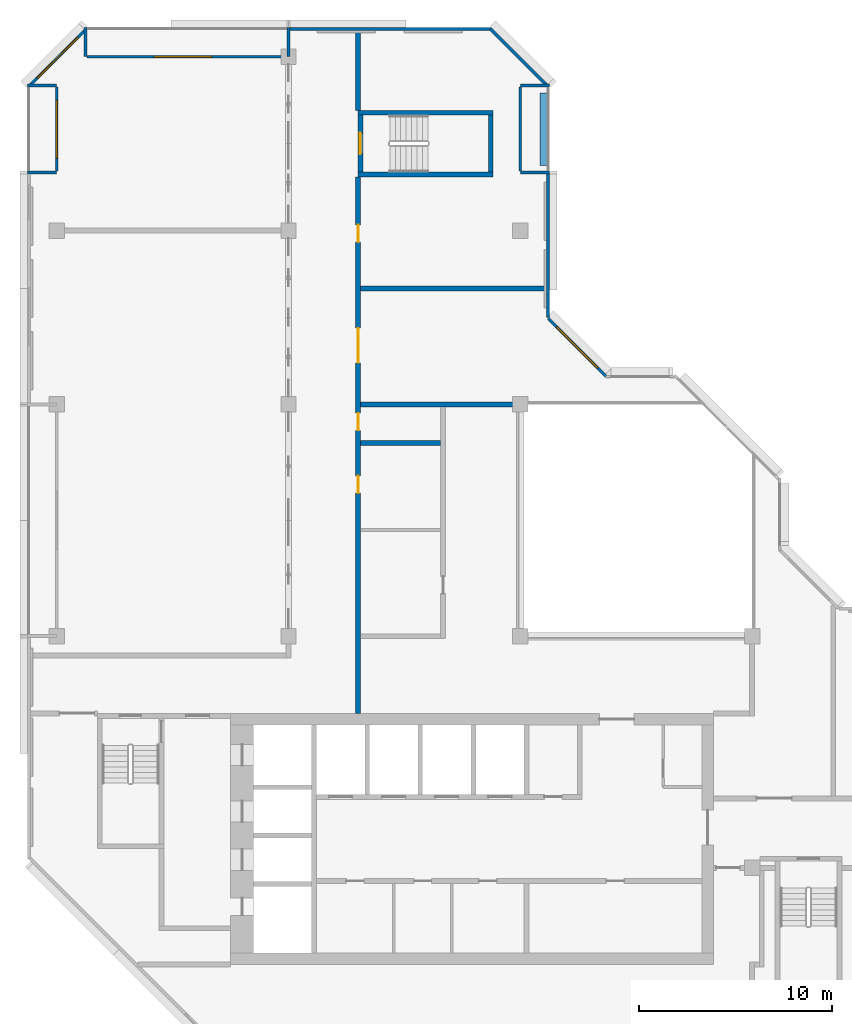
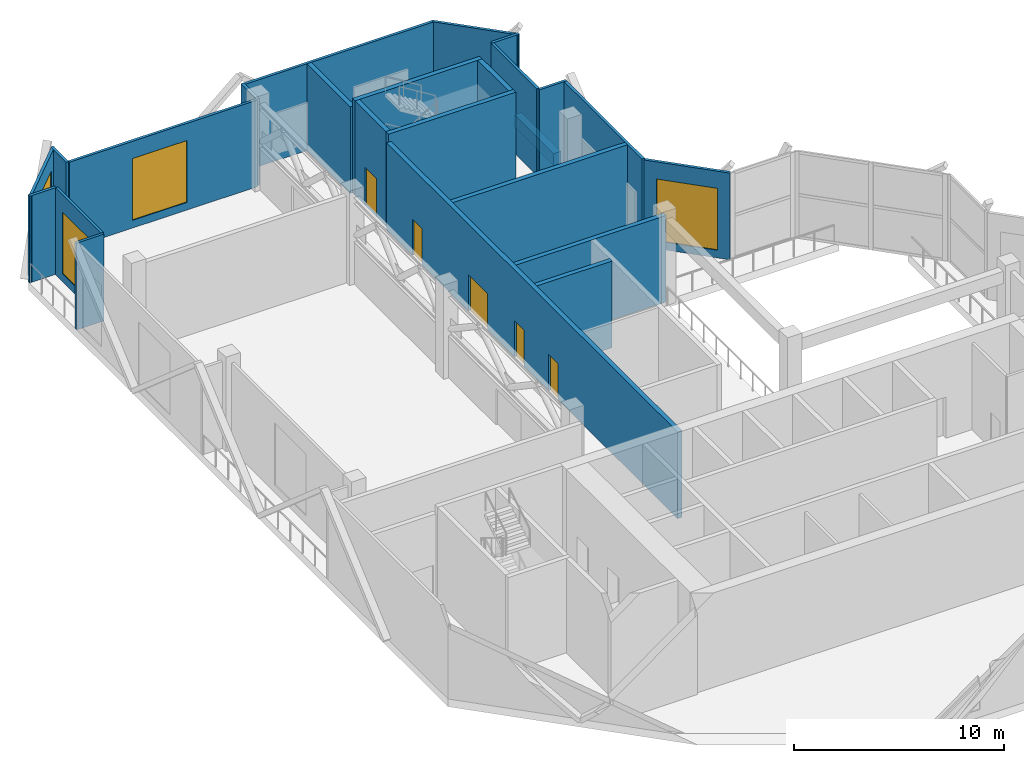
# One storey, part 8 of 13: 24 walls, 5 doors, 4 windows, 9 openings.
"""IFC4 building model written with IfcOpenShell, lengths in metres."""

from ifc_helpers import new_model, si_unit, direction, frame, frame_2d, origin, place, context, subcontext, project, spatial, rectangle, extrude, material, layer, layer_set, type_object, element, fill, save


model = new_model("IFC4")

# Units and contexts
model_context = context("Model", 3, precision=1e-05, world=origin(), true_north=direction((0.0, 1.0)))
body_context = subcontext(model_context, "Body", "Model", "MODEL_VIEW")
ifc_project = project(units=[si_unit("LENGTHUNIT", "METRE"), si_unit("AREAUNIT", "SQUARE_METRE"), si_unit("VOLUMEUNIT", "CUBIC_METRE"), si_unit("PLANEANGLEUNIT", "RADIAN"), si_unit("MASSUNIT", "GRAM", prefix="KILO")], contexts=[model_context])

# Site, building, storey
site_placement = place(None, origin())
site = spatial("IfcSite", under=ifc_project, at=site_placement, CompositionType="ELEMENT")
building_placement = place(site_placement, origin())
building = spatial("IfcBuilding", under=site, at=building_placement, Name="Chenar Terraces", CompositionType="ELEMENT")
storey_placement = place(building_placement, frame((0.0, 0.0, 322.14990234375)))
storey = spatial("IfcBuildingStorey", under=building, at=storey_placement, Name="L76", CompositionType="ELEMENT", Elevation=322.14990234375)

# Walls
ifc_material_1 = material(Name="Concrete C50/60", Category="concrete")
ifc_layer_1 = layer(ifc_material_1, 0.25)
ifc_layer_set_1 = layer_set([ifc_layer_1], Name="Concrete C50/60")
wall_type_1 = type_object("IfcWallType", Name="Core wall 250 Concrete C50/60", PredefinedType="SHEAR", material=ifc_layer_set_1)
for number, where, z_axis, x_axis, name in (
    (1, (15.60009765625, 47.89990234375, 0.0), (0.0, 0.0, 1.0), (1.0, 0.0, 0.0), "Core wall ST4_S L76"),
    (2, (15.60009765625, 51.10009765625, 0.0), (0.0, 0.0, 1.0), (1.0, 0.0, 0.0), "Core wall ST4_N L76"),
):
    element("IfcWall", number, at=place(storey_placement, frame(where, z_axis=z_axis, x_axis=x_axis)), inside=storey, type_object=wall_type_1, Name=name, PredefinedType="SHEAR", context=body_context, shape_type="SweptSolid", body=[
        extrude(rectangle(XDim=7.0, YDim=0.25, at=frame_2d((3.5, 0.0))), origin(), (0.0, 0.0, 1.0), 5.5),
    ])

# Wall, opening, door
wall_1_placement = place(storey_placement, frame((15.72509765625, 48.02490234375, 0.0), z_axis=(0.0, 0.0, 1.0), x_axis=(0.0, 1.0, 0.0)))
wall_1 = element("IfcWall", 3, at=wall_1_placement, inside=storey, type_object=wall_type_1, Name="Core wall ST4_W L76", PredefinedType="SHEAR", context=body_context, shape_type="SweptSolid", body=[
    extrude(rectangle(XDim=2.9501953125, YDim=0.25, at=frame_2d((1.47509765625, 0.0))), origin(), (0.0, 0.0, 1.0), 5.5),
])
opening_1_placement = place(wall_1_placement, frame((0.925048828125, 0.0, 0.0)))
opening_1 = element("IfcOpeningElement", 4, at=opening_1_placement, cuts=wall_1, Name="Opening DL76-C9", PredefinedType="OPENING", context=body_context, shape_type="SweptSolid", body=[
    extrude(rectangle(XDim=1.10009765625, YDim=2.199951171875, at=frame_2d((0.550048828125, 1.10009765625))), frame((0.0, 0.135009765625, 0.0), z_axis=(0.0, -1.0, 0.0), x_axis=(1.0, 0.0, 0.0)), (0.0, 0.0, 1.0), 0.27001953125),
])
ifc_material_2 = material(Name="Steel-framed fire-resisting door leaf", Category="steel")
door_type_1 = type_object("IfcDoorType", Name="Stair fire door FD60 1100 x 2200", OperationType="SINGLE_SWING_LEFT", PredefinedType="DOOR", material=ifc_material_2)
door_1_placement = place(opening_1_placement, frame((1.10009765625, 0.0, 0.0), z_axis=(0.0, 0.0, 1.0), x_axis=(-1.0, 0.0, 0.0)))
door_1 = element("IfcDoor", 5, at=door_1_placement, inside=storey, type_object=door_type_1, Name="Stair door DL76-C9", OperationType="SINGLE_SWING_RIGHT", OverallHeight=2.199951171875, OverallWidth=1.10009765625, PredefinedType="DOOR", context=body_context, shape_type="SweptSolid", body=[
    extrude(rectangle(XDim=1.10009765625, YDim=2.199951171875, at=frame_2d((0.550048828125, 1.10009765625))), frame((0.0, 0.02490234375, 0.0), z_axis=(0.0, -1.0, 0.0), x_axis=(1.0, 0.0, 0.0)), (0.0, 0.0, 1.0), 0.050048828125),
])
fill(opening_1, door_1)

# Walls
wall_2_placement = place(storey_placement, frame((22.47509765625, 48.02490234375, 0.0), z_axis=(0.0, 0.0, 1.0), x_axis=(0.0, 1.0, 0.0)))
element("IfcWall", 6, at=wall_2_placement, inside=storey, type_object=wall_type_1, Name="Core wall ST4_E L76", PredefinedType="SHEAR", context=body_context, shape_type="SweptSolid", body=[
    extrude(rectangle(XDim=2.9501953125, YDim=0.25, at=frame_2d((1.47509765625, 0.0))), origin(), (0.0, 0.0, 1.0), 5.5),
])
ifc_material_3 = material(Name="Aluminium framed glazing", Category="aluminium")
ifc_layer_2 = layer(ifc_material_3, 0.14990234375)
ifc_layer_set_2 = layer_set([ifc_layer_2], Name="Aluminium framed glazing")
wall_type_2 = type_object("IfcWallType", Name="Glazed flush facade wall 150", PredefinedType="SOLIDWALL", material=ifc_layer_set_2)
wall_3_placement = place(storey_placement, frame((25.425048828125, 40.5, 0.0), z_axis=(0.0, 0.0, 1.0), x_axis=(0.0, 1.0, 0.0)))
element("IfcWall", 7, at=wall_3_placement, inside=storey, type_object=wall_type_2, Name="Glazed flush facade wall", PredefinedType="SOLIDWALL", context=body_context, shape_type="SweptSolid", body=[
    extrude(rectangle(XDim=7.425048828125, YDim=0.14990234375, at=frame_2d((3.71240234375, 0.0))), origin(), (0.0, 0.0, 1.0), 5.050048828125),
])
wall_4_placement = place(storey_placement, frame((22.5, 55.425048828125, 0.0), z_axis=(0.0, 0.0, 1.0), x_axis=(-1.0, 0.0, 0.0)))
element("IfcWall", 8, at=wall_4_placement, inside=storey, type_object=wall_type_2, Name="Glazed flush facade wall", PredefinedType="SOLIDWALL", context=body_context, shape_type="SweptSolid", body=[
    extrude(rectangle(XDim=10.425048828125, YDim=0.14990234375, at=frame_2d((5.21240234375, 0.0))), origin(), (0.0, 0.0, 1.0), 5.050048828125),
])
ifc_material_4 = material(Name="Aluminium framed glazing", Category="aluminium")
ifc_layer_3 = layer(ifc_material_4, 0.14990234375)
ifc_layer_set_3 = layer_set([ifc_layer_3], Name="Aluminium framed glazing")
wall_type_3 = type_object("IfcWallType", Name="Glazed loggia back wall 150", PredefinedType="SOLIDWALL", material=ifc_layer_set_3)
wall_5_placement = place(storey_placement, frame((24.0, 48.074951171875, 0.0), z_axis=(0.0, 0.0, 1.0), x_axis=(0.0, 1.0, 0.0)))
element("IfcWall", 9, at=wall_5_placement, inside=storey, type_object=wall_type_3, Name="Glazed loggia back wall", PredefinedType="SOLIDWALL", context=body_context, shape_type="SweptSolid", body=[
    extrude(rectangle(XDim=4.35009765625, YDim=0.14990234375, at=frame_2d((2.175048828125, 0.0))), origin(), (0.0, 0.0, 1.0), 5.050048828125),
])

# Wall, opening, window
wall_6_placement = place(storey_placement, frame((11.925048828125, 54.0, 0.0), z_axis=(0.0, 0.0, 1.0), x_axis=(-1.0, 0.0, 0.0)))
wall_6 = element("IfcWall", 10, at=wall_6_placement, inside=storey, type_object=wall_type_3, Name="Glazed loggia back wall", PredefinedType="SOLIDWALL", context=body_context, shape_type="SweptSolid", body=[
    extrude(rectangle(XDim=10.35009765625, YDim=0.14990234375, at=frame_2d((5.175048828125, 0.0))), origin(), (0.0, 0.0, 1.0), 5.050048828125),
])
opening_2_placement = place(wall_6_placement, frame((3.887451171875, 0.0, 0.449951171875)))
opening_2 = element("IfcOpeningElement", 11, at=opening_2_placement, cuts=wall_6, Name="Opening W300x360", PredefinedType="OPENING", context=body_context, shape_type="SweptSolid", body=[
    extrude(rectangle(XDim=3.0, YDim=3.60009765625, at=frame_2d((1.5, 1.800048828125))), frame((0.0, 0.0849609375, 0.0), z_axis=(0.0, -1.0, 0.0), x_axis=(1.0, 0.0, 0.0)), (0.0, 0.0, 1.0), 0.169921875),
])
ifc_material_5 = material(Name="Low emissivity double glazing, aluminium frame", Category="aluminium")
window_type = type_object("IfcWindowType", Name="Fixed light 3000 x 3600", PartitioningType="SINGLE_PANEL", PredefinedType="WINDOW", material=ifc_material_5)
window_1_placement = place(opening_2_placement, origin())
window_1 = element("IfcWindow", 12, at=window_1_placement, inside=storey, type_object=window_type, Name="Window", OverallHeight=3.60009765625, OverallWidth=3.0, PartitioningType="SINGLE_PANEL", PredefinedType="WINDOW", context=body_context, shape_type="SweptSolid", body=[
    extrude(rectangle(XDim=3.0, YDim=3.60009765625, at=frame_2d((1.5, 1.800048828125))), frame((0.0, 0.030029296875, 0.0), z_axis=(0.0, -1.0, 0.0), x_axis=(1.0, 0.0, 0.0)), (0.0, 0.0, 1.0), 0.06005859375),
])
fill(opening_2, window_1)

wall_7_placement = place(storey_placement, frame((0.0, 52.425048828125, 0.0), z_axis=(0.0, 0.0, 1.0), x_axis=(0.0, -1.0, 0.0)))
wall_7 = element("IfcWall", 13, at=wall_7_placement, inside=storey, type_object=wall_type_3, Name="Glazed loggia back wall", PredefinedType="SOLIDWALL", context=body_context, shape_type="SweptSolid", body=[
    extrude(rectangle(XDim=4.35009765625, YDim=0.14990234375, at=frame_2d((2.175048828125, 0.0))), origin(), (0.0, 0.0, 1.0), 5.050048828125),
])
opening_3_placement = place(wall_7_placement, frame((0.675048828125, 0.0, 0.449951171875)))
opening_3 = element("IfcOpeningElement", 14, at=opening_3_placement, cuts=wall_7, Name="Opening W300x360", PredefinedType="OPENING", context=body_context, shape_type="SweptSolid", body=[
    extrude(rectangle(XDim=3.0, YDim=3.60009765625, at=frame_2d((1.5, 1.800048828125))), frame((0.0, 0.0849609375, 0.0), z_axis=(0.0, -1.0, 0.0), x_axis=(1.0, 0.0, 0.0)), (0.0, 0.0, 1.0), 0.169921875),
])
window_2_placement = place(opening_3_placement, origin())
window_2 = element("IfcWindow", 15, at=window_2_placement, inside=storey, type_object=window_type, Name="Window", OverallHeight=3.60009765625, OverallWidth=3.0, PartitioningType="SINGLE_PANEL", PredefinedType="WINDOW", context=body_context, shape_type="SweptSolid", body=[
    extrude(rectangle(XDim=3.0, YDim=3.60009765625, at=frame_2d((1.5, 1.800048828125))), frame((0.0, 0.030029296875, 0.0), z_axis=(0.0, -1.0, 0.0), x_axis=(1.0, 0.0, 0.0)), (0.0, 0.0, 1.0), 0.06005859375),
])
fill(opening_3, window_2)

# Walls
ifc_material_6 = material(Name="Terracotta cladding on insulated backing", Category="masonry")
ifc_layer_4 = layer(ifc_material_6, 0.14990234375)
ifc_layer_set_4 = layer_set([ifc_layer_4], Name="Terracotta cladding on insulated backing")
wall_type_4 = type_object("IfcWallType", Name="Loggia return wall 150", PredefinedType="SOLIDWALL", material=ifc_layer_set_4)
for number, where, z_axis, x_axis, name in (
    (16, (25.5, 48.0, 0.0), (0.0, 0.0, 1.0), (-1.0, 0.0, 0.0), "Loggia return wall"),
    (17, (25.5, 52.5, 0.0), (0.0, 0.0, 1.0), (-1.0, 0.0, 0.0), "Loggia return wall"),
    (18, (12.0, 55.5, 0.0), (0.0, 0.0, 1.0), (0.0, -1.0, 0.0), "Loggia return wall"),
    (19, (1.5, 55.5, 0.0), (0.0, 0.0, 1.0), (0.0, -1.0, 0.0), "Loggia return wall"),
    (20, (-1.5, 52.5, 0.0), (0.0, 0.0, 1.0), (1.0, 0.0, 0.0), "Loggia return wall"),
    (21, (-1.5, 48.0, 0.0), (0.0, 0.0, 1.0), (1.0, 0.0, 0.0), "Loggia return wall"),
):
    element("IfcWall", number, at=place(storey_placement, frame(where, z_axis=z_axis, x_axis=x_axis)), inside=storey, type_object=wall_type_4, Name=name, PredefinedType="SOLIDWALL", context=body_context, shape_type="SweptSolid", body=[
        extrude(rectangle(XDim=1.5, YDim=0.14990234375, at=frame_2d((0.75, 0.0))), origin(), (0.0, 0.0, 1.0), 5.050048828125),
    ])
ifc_material_7 = material(Name="Fire-board and steel stud wall with mineral wool", Category="steel")
ifc_layer_5 = layer(ifc_material_7, 0.25)
ifc_layer_set_5 = layer_set([ifc_layer_5], Name="Fire-board and steel stud wall with mineral wool")
wall_type_5 = type_object("IfcWallType", Name="Plant room wall 250", PredefinedType="PARTITIONING", material=ifc_layer_set_5)
wall_8_placement = place(storey_placement, frame((15.72509765625, 42.0, 0.0), z_axis=(0.0, 0.0, 1.0), x_axis=(1.0, 0.0, 0.0)))
element("IfcWall", 22, at=wall_8_placement, inside=storey, type_object=wall_type_5, Name="Partition L76-012", PredefinedType="PARTITIONING", context=body_context, shape_type="SweptSolid", body=[
    extrude(rectangle(XDim=9.625, YDim=0.25, at=frame_2d((4.8125, 0.0))), origin(), (0.0, 0.0, 1.0), 5.050048828125),
])

# Wall, openings, doors
ifc_material_8 = material(Name="Fire-board and steel stud wall with mineral wool", Category="steel")
ifc_layer_6 = layer(ifc_material_8, 0.25)
ifc_layer_set_6 = layer_set([ifc_layer_6], Name="Fire-board and steel stud wall with mineral wool")
wall_type_6 = type_object("IfcWallType", Name="Refuge compartment wall 250", PredefinedType="PARTITIONING", material=ifc_layer_set_6)
wall_9_placement = place(storey_placement, frame((15.60009765625, 20.0, 0.0), z_axis=(0.0, 0.0, 1.0), x_axis=(0.0, 1.0, 0.0)))
wall_9 = element("IfcWall", 23, at=wall_9_placement, inside=storey, type_object=wall_type_6, Name="Partition L76-006", PredefinedType="PARTITIONING", context=body_context, shape_type="SweptSolid", body=[
    extrude(rectangle(XDim=27.77490234375, YDim=0.25, at=frame_2d((13.887451171875, 0.0))), origin(), (0.0, 0.0, 1.0), 5.050048828125),
])
opening_4_placement = place(wall_9_placement, frame((18.14990234375, 0.0, 0.0)))
opening_4 = element("IfcOpeningElement", 24, at=opening_4_placement, cuts=wall_9, Name="Opening DL76-7", PredefinedType="OPENING", context=body_context, shape_type="SweptSolid", body=[
    extrude(rectangle(XDim=1.800048828125, YDim=2.10009765625, at=frame_2d((0.89990234375, 1.050048828125))), frame((0.0, 0.135009765625, 0.0), z_axis=(0.0, -1.0, 0.0), x_axis=(1.0, 0.0, 0.0)), (0.0, 0.0, 1.0), 0.27001953125),
])
opening_5_placement = place(wall_9_placement, frame((24.39990234375, 0.0, 0.0)))
opening_5 = element("IfcOpeningElement", 25, at=opening_5_placement, cuts=wall_9, Name="Opening DL76-8", PredefinedType="OPENING", context=body_context, shape_type="SweptSolid", body=[
    extrude(rectangle(XDim=0.89990234375, YDim=2.10009765625, at=frame_2d((0.449951171875, 1.050048828125))), frame((0.0, 0.135009765625, 0.0), z_axis=(0.0, -1.0, 0.0), x_axis=(1.0, 0.0, 0.0)), (0.0, 0.0, 1.0), 0.27001953125),
])
opening_6_placement = place(wall_9_placement, frame((14.64990234375, 0.0, 0.0)))
opening_6 = element("IfcOpeningElement", 26, at=opening_6_placement, cuts=wall_9, Name="Opening DL76-11", PredefinedType="OPENING", context=body_context, shape_type="SweptSolid", body=[
    extrude(rectangle(XDim=0.89990234375, YDim=2.10009765625, at=frame_2d((0.449951171875, 1.050048828125))), frame((0.0, 0.135009765625, 0.0), z_axis=(0.0, -1.0, 0.0), x_axis=(1.0, 0.0, 0.0)), (0.0, 0.0, 1.0), 0.27001953125),
])
opening_7_placement = place(wall_9_placement, frame((11.39990234375, 0.0, 0.0)))
opening_7 = element("IfcOpeningElement", 27, at=opening_7_placement, cuts=wall_9, Name="Opening DL76-14", PredefinedType="OPENING", context=body_context, shape_type="SweptSolid", body=[
    extrude(rectangle(XDim=0.89990234375, YDim=2.10009765625, at=frame_2d((0.449951171875, 1.050048828125))), frame((0.0, 0.135009765625, 0.0), z_axis=(0.0, -1.0, 0.0), x_axis=(1.0, 0.0, 0.0)), (0.0, 0.0, 1.0), 0.27001953125),
])
ifc_material_9 = material(Name="Steel-framed fire-resisting door leaf", Category="steel")
door_type_2 = type_object("IfcDoorType", Name="Fire door FD120 900 x 2100", OperationType="SINGLE_SWING_LEFT", PredefinedType="DOOR", material=ifc_material_9)
door_2_placement = place(opening_5_placement, frame((0.89990234375, 0.0, 0.0), z_axis=(0.0, 0.0, 1.0), x_axis=(-1.0, 0.0, 0.0)))
door_2 = element("IfcDoor", 28, at=door_2_placement, inside=storey, type_object=door_type_2, Name="Door DL76-8", OperationType="SINGLE_SWING_LEFT", OverallHeight=2.10009765625, OverallWidth=0.89990234375, PredefinedType="DOOR", context=body_context, shape_type="SweptSolid", body=[
    extrude(rectangle(XDim=0.89990234375, YDim=2.10009765625, at=frame_2d((0.449951171875, 1.050048828125))), frame((0.0, 0.02490234375, 0.0), z_axis=(0.0, -1.0, 0.0), x_axis=(1.0, 0.0, 0.0)), (0.0, 0.0, 1.0), 0.050048828125),
])
fill(opening_5, door_2)
door_3_placement = place(opening_6_placement, frame((0.89990234375, 0.0, 0.0), z_axis=(0.0, 0.0, 1.0), x_axis=(-1.0, 0.0, 0.0)))
door_3 = element("IfcDoor", 29, at=door_3_placement, inside=storey, type_object=door_type_2, Name="Door DL76-11", OperationType="SINGLE_SWING_LEFT", OverallHeight=2.10009765625, OverallWidth=0.89990234375, PredefinedType="DOOR", context=body_context, shape_type="SweptSolid", body=[
    extrude(rectangle(XDim=0.89990234375, YDim=2.10009765625, at=frame_2d((0.449951171875, 1.050048828125))), frame((0.0, 0.02490234375, 0.0), z_axis=(0.0, -1.0, 0.0), x_axis=(1.0, 0.0, 0.0)), (0.0, 0.0, 1.0), 0.050048828125),
])
fill(opening_6, door_3)
door_4_placement = place(opening_7_placement, frame((0.89990234375, 0.0, 0.0), z_axis=(0.0, 0.0, 1.0), x_axis=(-1.0, 0.0, 0.0)))
door_4 = element("IfcDoor", 30, at=door_4_placement, inside=storey, type_object=door_type_2, Name="Door DL76-14", OperationType="SINGLE_SWING_LEFT", OverallHeight=2.10009765625, OverallWidth=0.89990234375, PredefinedType="DOOR", context=body_context, shape_type="SweptSolid", body=[
    extrude(rectangle(XDim=0.89990234375, YDim=2.10009765625, at=frame_2d((0.449951171875, 1.050048828125))), frame((0.0, 0.02490234375, 0.0), z_axis=(0.0, -1.0, 0.0), x_axis=(1.0, 0.0, 0.0)), (0.0, 0.0, 1.0), 0.050048828125),
])
fill(opening_7, door_4)
ifc_material_10 = material(Name="Steel-framed fire-resisting door leaf", Category="steel")
door_type_3 = type_object("IfcDoorType", Name="Fire double door FD120 1800 x 2100", OperationType="DOUBLE_DOOR_SINGLE_SWING", PredefinedType="DOOR", material=ifc_material_10)
door_5_placement = place(opening_4_placement, frame((1.800048828125, 0.0, 0.0), z_axis=(0.0, 0.0, 1.0), x_axis=(-1.0, 0.0, 0.0)))
door_5 = element("IfcDoor", 31, at=door_5_placement, inside=storey, type_object=door_type_3, Name="Door DL76-7", OperationType="DOUBLE_DOOR_SINGLE_SWING", OverallHeight=2.10009765625, OverallWidth=1.800048828125, PredefinedType="DOOR", context=body_context, shape_type="SweptSolid", body=[
    extrude(rectangle(XDim=1.800048828125, YDim=2.10009765625, at=frame_2d((0.89990234375, 1.050048828125))), frame((0.0, 0.02490234375, 0.0), z_axis=(0.0, -1.0, 0.0), x_axis=(1.0, 0.0, 0.0)), (0.0, 0.0, 1.0), 0.050048828125),
])
fill(opening_4, door_5)

# Walls
wall_10_placement = place(storey_placement, frame((15.60009765625, 51.22509765625, 0.0), z_axis=(0.0, 0.0, 1.0), x_axis=(0.0, 1.0, 0.0)))
element("IfcWall", 32, at=wall_10_placement, inside=storey, type_object=wall_type_6, Name="Partition L76-007", PredefinedType="PARTITIONING", context=body_context, shape_type="SweptSolid", body=[
    extrude(rectangle(XDim=4.125, YDim=0.25, at=frame_2d((2.0625, 0.0))), origin(), (0.0, 0.0, 1.0), 5.050048828125),
])
wall_11_placement = place(storey_placement, frame((15.72509765625, 34.0, 0.0), z_axis=(0.0, 0.0, 1.0), x_axis=(1.0, 0.0, 0.0)))
element("IfcWall", 33, at=wall_11_placement, inside=storey, type_object=wall_type_6, Name="Partition L76-010", PredefinedType="PARTITIONING", context=body_context, shape_type="SweptSolid", body=[
    extrude(rectangle(XDim=4.14990234375, YDim=0.25, at=frame_2d((2.074951171875, 0.0))), origin(), (0.0, 0.0, 1.0), 5.050048828125),
])
wall_12_placement = place(storey_placement, frame((15.72509765625, 36.0, 0.0), z_axis=(0.0, 0.0, 1.0), x_axis=(1.0, 0.0, 0.0)))
element("IfcWall", 34, at=wall_12_placement, inside=storey, type_object=wall_type_6, Name="Partition L76-011", PredefinedType="PARTITIONING", context=body_context, shape_type="SweptSolid", body=[
    extrude(rectangle(XDim=8.27490234375, YDim=0.25, at=frame_2d((4.137451171875, 0.0))), origin(), (0.0, 0.0, 1.0), 5.050048828125),
])

# Wall, opening, window
ifc_material_11 = material(Name="Terracotta cladding on insulated backing", Category="masonry")
ifc_layer_7 = layer(ifc_material_11, 0.14990234375)
ifc_layer_set_7 = layer_set([ifc_layer_7], Name="Terracotta cladding on insulated backing")
wall_type_7 = type_object("IfcWallType", Name="Terracotta rainscreen wall 150", PredefinedType="SOLIDWALL", material=ifc_layer_set_7)
wall_13_placement = place(storey_placement, frame((28.447021484375, 37.447021484375, 0.0), z_axis=(0.0, 0.0, 1.0), x_axis=(-0.707106781187, 0.707106781187, 0.0)))
wall_13 = element("IfcWall", 35, at=wall_13_placement, inside=storey, type_object=wall_type_7, Name="Terracotta rainscreen wall", PredefinedType="SOLIDWALL", context=body_context, shape_type="SweptSolid", body=[
    extrude(rectangle(XDim=4.24267578125, YDim=0.14990234375, at=frame_2d((2.121337890625, 0.0))), origin(), (0.0, 0.0, 1.0), 5.050048828125),
])
opening_8_placement = place(wall_13_placement, frame((0.621337890625, 0.0, 0.449951171875)))
opening_8 = element("IfcOpeningElement", 36, at=opening_8_placement, cuts=wall_13, Name="Opening W300x360", PredefinedType="OPENING", context=body_context, shape_type="SweptSolid", body=[
    extrude(rectangle(XDim=3.0, YDim=3.60009765625, at=frame_2d((1.5, 1.800048828125))), frame((0.0, 0.0849609375, 0.0), z_axis=(0.0, -1.0, 0.0), x_axis=(1.0, 0.0, 0.0)), (0.0, 0.0, 1.0), 0.169921875),
])
window_3_placement = place(opening_8_placement, origin())
window_3 = element("IfcWindow", 37, at=window_3_placement, inside=storey, type_object=window_type, Name="Window", OverallHeight=3.60009765625, OverallWidth=3.0, PartitioningType="SINGLE_PANEL", PredefinedType="WINDOW", context=body_context, shape_type="SweptSolid", body=[
    extrude(rectangle(XDim=3.0, YDim=3.60009765625, at=frame_2d((1.5, 1.800048828125))), frame((0.0, 0.030029296875, 0.0), z_axis=(0.0, -1.0, 0.0), x_axis=(1.0, 0.0, 0.0)), (0.0, 0.0, 1.0), 0.06005859375),
])
fill(opening_8, window_3)

# Wall
wall_14_placement = place(storey_placement, frame((25.447021484375, 52.447021484375, 0.0), z_axis=(0.0, 0.0, 1.0), x_axis=(-0.707106781187, 0.707106781187, 0.0)))
element("IfcWall", 38, at=wall_14_placement, inside=storey, type_object=wall_type_7, Name="Terracotta rainscreen wall", PredefinedType="SOLIDWALL", context=body_context, shape_type="SweptSolid", body=[
    extrude(rectangle(XDim=4.24267578125, YDim=0.14990234375, at=frame_2d((2.121337890625, 0.0))), origin(), (0.0, 0.0, 1.0), 5.050048828125),
])

# Wall, opening, window
wall_15_placement = place(storey_placement, frame((1.552978515625, 55.447021484375, 0.0), z_axis=(0.0, 0.0, 1.0), x_axis=(-0.707106781187, -0.707106781187, 0.0)))
wall_15 = element("IfcWall", 39, at=wall_15_placement, inside=storey, type_object=wall_type_7, Name="Terracotta rainscreen wall", PredefinedType="SOLIDWALL", context=body_context, shape_type="SweptSolid", body=[
    extrude(rectangle(XDim=4.24267578125, YDim=0.14990234375, at=frame_2d((2.121337890625, 0.0))), origin(), (0.0, 0.0, 1.0), 5.050048828125),
])
opening_9_placement = place(wall_15_placement, frame((0.621337890625, 0.0, 0.449951171875)))
opening_9 = element("IfcOpeningElement", 40, at=opening_9_placement, cuts=wall_15, Name="Opening W300x360", PredefinedType="OPENING", context=body_context, shape_type="SweptSolid", body=[
    extrude(rectangle(XDim=3.0, YDim=3.60009765625, at=frame_2d((1.5, 1.800048828125))), frame((0.0, 0.0849609375, 0.0), z_axis=(0.0, -1.0, 0.0), x_axis=(1.0, 0.0, 0.0)), (0.0, 0.0, 1.0), 0.169921875),
])
window_4_placement = place(opening_9_placement, origin())
window_4 = element("IfcWindow", 41, at=window_4_placement, inside=storey, type_object=window_type, Name="Window", OverallHeight=3.60009765625, OverallWidth=3.0, PartitioningType="SINGLE_PANEL", PredefinedType="WINDOW", context=body_context, shape_type="SweptSolid", body=[
    extrude(rectangle(XDim=3.0, YDim=3.60009765625, at=frame_2d((1.5, 1.800048828125))), frame((0.0, 0.030029296875, 0.0), z_axis=(0.0, -1.0, 0.0), x_axis=(1.0, 0.0, 0.0)), (0.0, 0.0, 1.0), 0.06005859375),
])
fill(opening_9, window_4)

# Wall
ifc_material_12 = material(Name="GRP planter trough")
ifc_layer_8 = layer(ifc_material_12, 0.39990234375)
ifc_layer_set_8 = layer_set([ifc_layer_8], Name="GRP planter trough")
wall_type_8 = type_object("IfcWallType", Name="Vertical greenery planter 400", PredefinedType="SOLIDWALL", material=ifc_layer_set_8)
wall_16_placement = place(storey_placement, frame((25.22900390625, 48.375, 0.0), z_axis=(0.0, 0.0, 1.0), x_axis=(0.0, 1.0, 0.0)))
element("IfcWall", 42, at=wall_16_placement, inside=storey, type_object=wall_type_8, Name="Vertical greenery planter", PredefinedType="SOLIDWALL", context=body_context, shape_type="SweptSolid", body=[
    extrude(rectangle(XDim=3.75, YDim=0.39990234375, at=frame_2d((1.875, 0.0))), origin(), (0.0, 0.0, 1.0), 0.7001953125),
])

save(model, "model.ifc")
